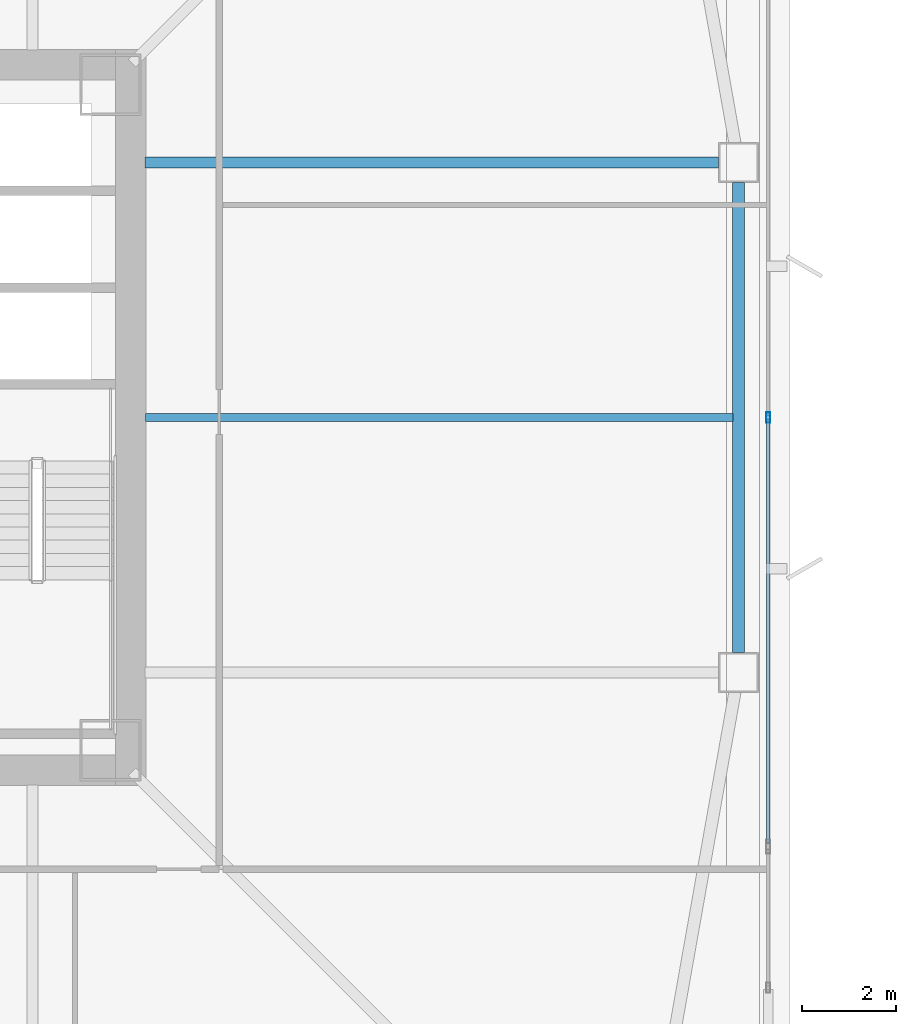
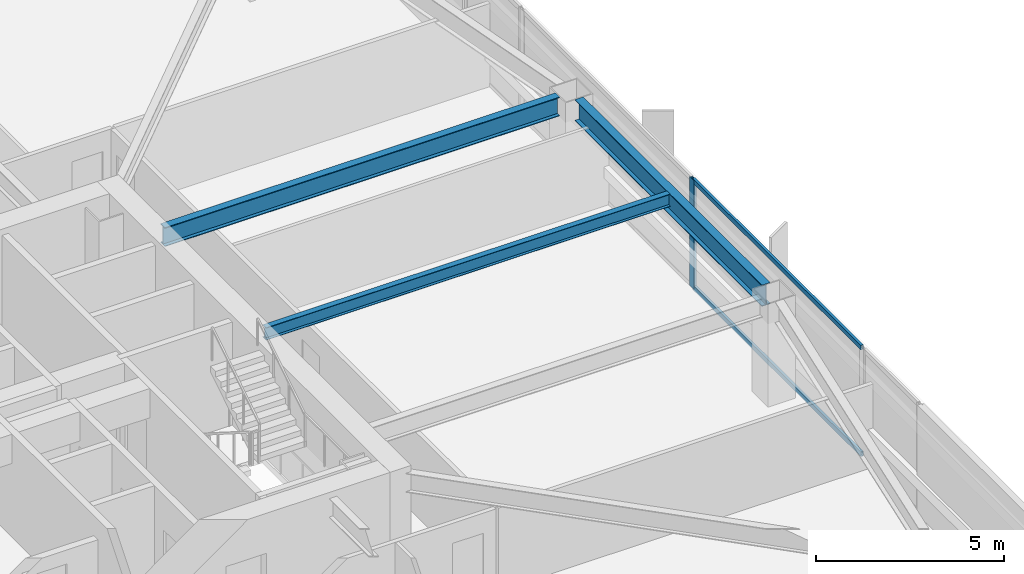
# One storey, part 11 of 49: 3 beams, 3 members, 1 element without a shape of its own.
"""IFC4 building model written with IfcOpenShell, lengths in metres."""

from ifc_helpers import new_model, si_unit, direction, frame, origin, origin_2d, place, context, subcontext, project, spatial, hollow_rectangle, i_section, extrude, material, material_profile, profile_set, type_object, element, aggregate, save


model = new_model("IFC4")

# Units and contexts
model_context = context("Model", 3, precision=1e-05, world=origin(), true_north=direction((0.0, 1.0)))
body_context = subcontext(model_context, "Body", "Model", "MODEL_VIEW")
ifc_project = project(units=[si_unit("LENGTHUNIT", "METRE"), si_unit("AREAUNIT", "SQUARE_METRE"), si_unit("VOLUMEUNIT", "CUBIC_METRE"), si_unit("PLANEANGLEUNIT", "RADIAN"), si_unit("MASSUNIT", "GRAM", prefix="KILO")], contexts=[model_context])

# Site, building, storey
site_placement = place(None, origin())
site = spatial("IfcSite", under=ifc_project, at=site_placement, CompositionType="ELEMENT")
building_placement = place(site_placement, origin())
building = spatial("IfcBuilding", under=site, at=building_placement, Name="Tashvorn Skyway Center", CompositionType="ELEMENT")
storey_placement = place(building_placement, frame((0.0, 0.0, 70.75)))
storey = spatial("IfcBuildingStorey", under=building, at=storey_placement, Name="L18", CompositionType="ELEMENT", Elevation=70.75)

# Beams
ifc_material_1 = material(Name="Steel ASTM A992 Grade 50", Category="steel")
ifc_material_profile_1 = material_profile(ifc_material_1, i_section(OverallWidth=0.22998046875, OverallDepth=0.616943359375, WebThickness=0.01318359375, FlangeThickness=0.022216796875, at=origin_2d()), Name="W24X94")
ifc_profile_set_1 = profile_set([ifc_material_profile_1], Name="Steel ASTM A992 Grade 50")
beam_type_1 = type_object("IfcBeamType", Name="BM-BEAM-W24X94", PredefinedType="BEAM", material=ifc_profile_set_1)
beam_1_placement = place(storey_placement, frame((61.929931640625, 37.39990234375, 3.04150390625), z_axis=(-1.0, 0.0, 0.0), x_axis=(0.0, -1.0, 0.0)))
element("IfcBeam", 1, at=beam_1_placement, inside=storey, type_object=beam_type_1, Name="Tower 1 L18 Primary Floor Girder FC-E2", PredefinedType="BEAM", context=body_context, shape_type="SweptSolid", body=[
    extrude(i_section(OverallWidth=0.22998046875, OverallDepth=0.616943359375, WebThickness=0.01318359375, FlangeThickness=0.022216796875, at=origin_2d()), origin(), (0.0, 0.0, 1.0), 12.14990234375),
])
ifc_material_profile_2 = material_profile(ifc_material_1, i_section(OverallWidth=0.177978515625, OverallDepth=0.406005859375, WebThickness=0.0078125, FlangeThickness=0.0126953125, at=origin_2d()), Name="W16X40")
ifc_profile_set_2 = profile_set([ifc_material_profile_2], Name="Steel ASTM A992 Grade 50")
beam_type_2 = type_object("IfcBeamType", Name="BM-JOIST-W16X40", PredefinedType="JOIST", material=ifc_profile_set_2)
beam_2_placement = place(storey_placement, frame((49.7900390625, 32.0, 3.14697265625), z_axis=(1.0, 0.0, 0.0), x_axis=(0.0, 1.0, 0.0)))
element("IfcBeam", 2, at=beam_2_placement, inside=storey, type_object=beam_type_2, Name="Tower 1 L18 Secondary Composite Joist JE", PredefinedType="JOIST", context=body_context, shape_type="SweptSolid", body=[
    extrude(i_section(OverallWidth=0.177978515625, OverallDepth=0.406005859375, WebThickness=0.0078125, FlangeThickness=0.0126953125, at=origin_2d()), origin(), (0.0, 0.0, 1.0), 12.43994140625),
])
ifc_material_profile_3 = material_profile(ifc_material_1, i_section(OverallWidth=0.256103515625, OverallDepth=0.693115234375, WebThickness=0.014404296875, FlangeThickness=0.023681640625, at=origin_2d()), Name="W27X114")
ifc_profile_set_3 = profile_set([ifc_material_profile_3], Name="Steel ASTM A992 Grade 50")
beam_type_3 = type_object("IfcBeamType", Name="BM-SPANDREL-W27X114", PredefinedType="SPANDREL", material=ifc_profile_set_3)
beam_3_placement = place(storey_placement, frame((62.35009765625, 27.02001953125, 3.00341796875), z_axis=(0.0, 1.0, 0.0), x_axis=(-1.0, 0.0, 0.0)))
element("IfcBeam", 3, at=beam_3_placement, inside=storey, type_object=beam_type_3, Name="Tower 1 L18 Spandrel Beam 05", PredefinedType="SPANDREL", context=body_context, shape_type="SweptSolid", body=[
    extrude(i_section(OverallWidth=0.256103515625, OverallDepth=0.693115234375, WebThickness=0.014404296875, FlangeThickness=0.023681640625, at=origin_2d()), origin(), (0.0, 0.0, 1.0), 9.9599609375),
])

# Curtain wall, members
ifc_material_2 = material(Name="Thermally broken bronze-anodized aluminium 6063-T6", Category="aluminium")
curtain_wall_type = type_object("IfcCurtainWallType", Name="CW-CW-Z2", PredefinedType="NOTDEFINED", material=ifc_material_2)
curtain_wall_placement = place(storey_placement, origin())
curtain_wall = element("IfcCurtainWall", 4, at=curtain_wall_placement, inside=storey, type_object=curtain_wall_type, Name="Tower 1 L18 East Unitised Curtain Wall Glazing Group 2", PredefinedType="NOTDEFINED")
ifc_material_profile_4 = material_profile(ifc_material_2, hollow_rectangle(XDim=0.080078125, YDim=0.219970703125, WallThickness=0.0048828125, at=origin_2d()), Name="ALU-MULL-80x220")
ifc_profile_set_4 = profile_set([ifc_material_profile_4], Name="Thermally broken bronze-anodized aluminium 6063-T6")
member_type_1 = type_object("IfcMemberType", Name="CWM-CW-Z2", PredefinedType="MULLION", material=ifc_profile_set_4)
member_1_placement = place(storey_placement, frame((62.97998046875, 32.0, 0.0), z_axis=(0.0, 0.0, 1.0), x_axis=(1.0, 0.0, 0.0)))
member_1 = element("IfcMember", 5, at=member_1_placement, type_object=member_type_1, Name="CW-Z2 mullion 2", PredefinedType="MULLION", context=body_context, shape_type="SweptSolid", body=[
    extrude(hollow_rectangle(XDim=0.080078125, YDim=0.219970703125, WallThickness=0.0048828125, at=origin_2d()), origin(), (0.0, 0.0, 1.0), 3.550048828125),
])
ifc_material_profile_5 = material_profile(ifc_material_2, hollow_rectangle(XDim=0.080078125, YDim=0.14990234375, WallThickness=0.00439453125, at=origin_2d()), Name="ALU-TRAN-80x150")
ifc_profile_set_5 = profile_set([ifc_material_profile_5], Name="Thermally broken bronze-anodized aluminium 6063-T6")
member_type_2 = type_object("IfcMemberType", Name="CWT-CW-Z2", PredefinedType="USERDEFINED", material=ifc_profile_set_5)
member_2_placement = place(storey_placement, frame((62.97998046875, 31.9599609375, 0.0400390625), z_axis=(0.0, -1.0, 0.0), x_axis=(1.0, 0.0, 0.0)))
member_2 = element("IfcMember", 6, at=member_2_placement, type_object=member_type_2, Name="CW-Z2 transom 2.1", ObjectType="TRANSOM", PredefinedType="USERDEFINED", context=body_context, shape_type="SweptSolid", body=[
    extrude(hollow_rectangle(XDim=0.080078125, YDim=0.14990234375, WallThickness=0.00439453125, at=origin_2d()), origin(), (0.0, 0.0, 1.0), 8.969970703125),
])
member_3_placement = place(storey_placement, frame((62.97998046875, 31.9599609375, 3.510009765625), z_axis=(0.0, -1.0, 0.0), x_axis=(1.0, 0.0, 0.0)))
member_3 = element("IfcMember", 7, at=member_3_placement, type_object=member_type_2, Name="CW-Z2 transom 2.2", ObjectType="TRANSOM", PredefinedType="USERDEFINED", context=body_context, shape_type="SweptSolid", body=[
    extrude(hollow_rectangle(XDim=0.080078125, YDim=0.14990234375, WallThickness=0.00439453125, at=origin_2d()), origin(), (0.0, 0.0, 1.0), 8.969970703125),
])
aggregate(curtain_wall, [member_1, member_2, member_3])

save(model, "model.ifc")
